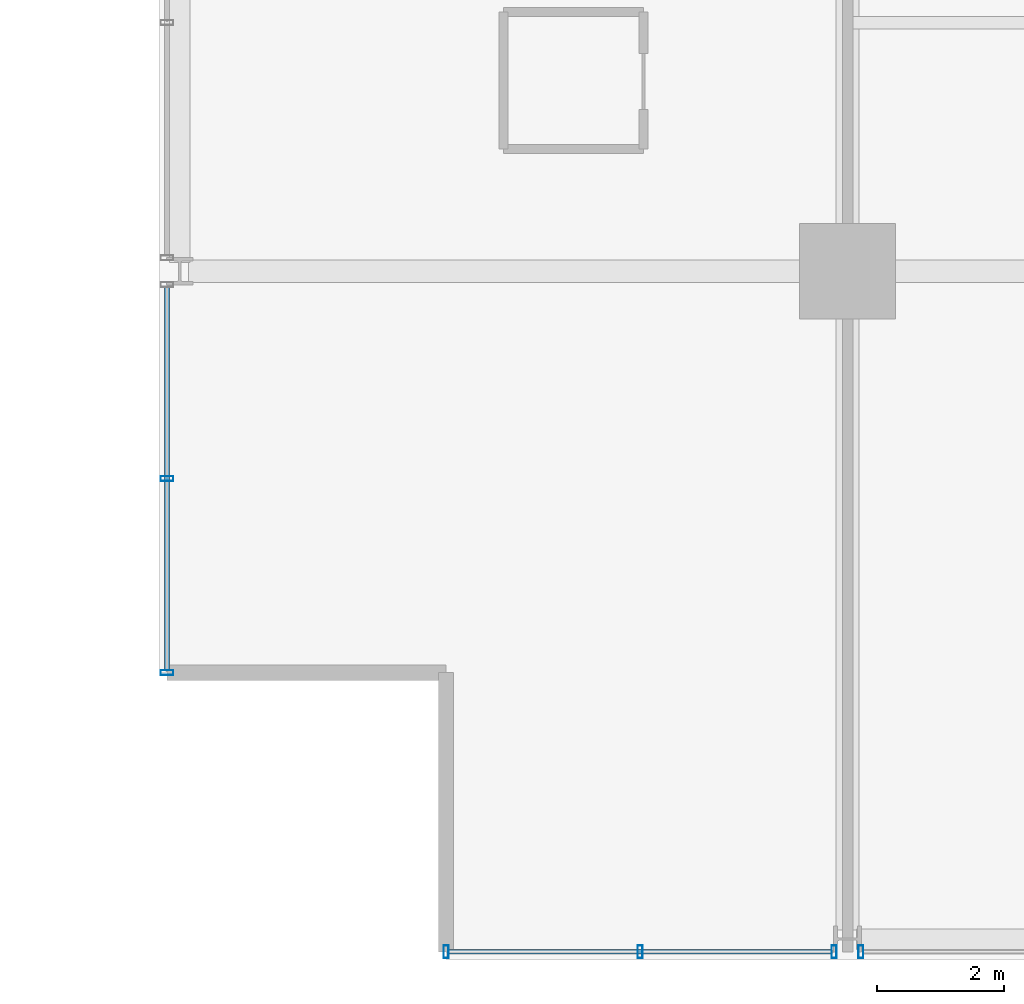
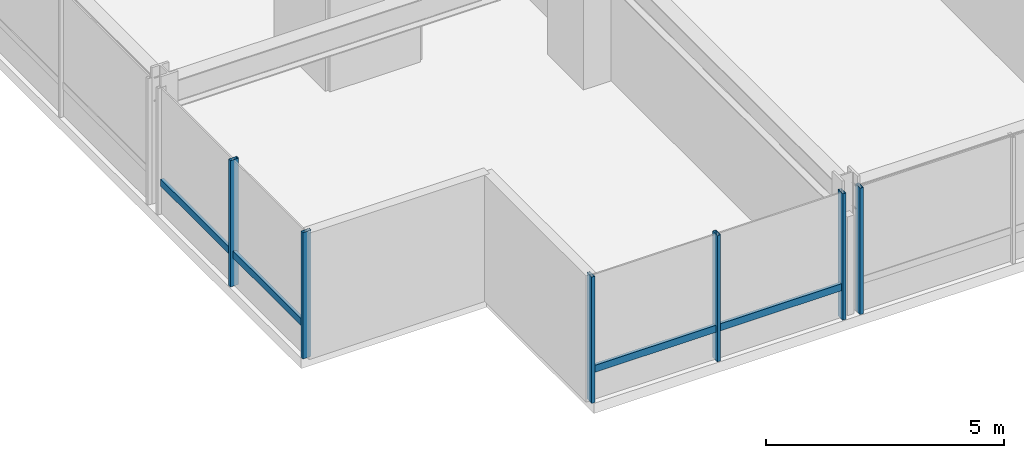
# One storey, part 2 of 34: 8 members, 3 elements without a shape of their own.
"""IFC4 building model written with IfcOpenShell, lengths in metres."""

from ifc_helpers import new_model, si_unit, direction, frame, origin, origin_2d, place, context, subcontext, project, spatial, hollow_rectangle, extrude, material, layer, layer_set, material_profile, profile_set, type_object, element, aggregate, save


model = new_model("IFC4")

# Units and contexts
model_context = context("Model", 3, precision=1e-05, world=origin(), true_north=direction((0.0, 1.0)))
body_context = subcontext(model_context, "Body", "Model", "MODEL_VIEW")
ifc_project = project(units=[si_unit("LENGTHUNIT", "METRE"), si_unit("AREAUNIT", "SQUARE_METRE"), si_unit("VOLUMEUNIT", "CUBIC_METRE"), si_unit("PLANEANGLEUNIT", "RADIAN"), si_unit("MASSUNIT", "GRAM", prefix="KILO")], contexts=[model_context])

# Site, building, storey
site_placement = place(None, origin())
site = spatial("IfcSite", under=ifc_project, at=site_placement, CompositionType="ELEMENT")
building_placement = place(site_placement, origin())
building = spatial("IfcBuilding", under=site, at=building_placement, Name="Drelvath Grand Hotel", CompositionType="ELEMENT")
storey_placement = place(building_placement, frame((0.0, 0.0, 126.800048828125)))
storey = spatial("IfcBuildingStorey", under=building, at=storey_placement, Name="L32", CompositionType="ELEMENT", Elevation=126.800048828125)

# Curtain wall, member
ifc_material = material(Name="Champagne Bronze Anodised Aluminium Frame", Category="aluminium")
ifc_layer = layer(ifc_material, 0.199951171875)
ifc_layer_set = layer_set([ifc_layer], Name="Champagne Bronze Anodised Aluminium Frame")
curtain_wall_type = type_object("IfcCurtainWallType", Name="Stick Curtain Wall CW-03 Champagne Bronze Mid-Rise", PredefinedType="NOTDEFINED", material=ifc_layer_set)
curtain_wall_1_placement = place(storey_placement, origin())
curtain_wall_1 = element("IfcCurtainWall", 1, at=curtain_wall_1_placement, inside=storey, type_object=curtain_wall_type, Name="L32 CW-03 Curtain Wall CW03-L32-WS1", PredefinedType="NOTDEFINED")
ifc_material_profile_1 = material_profile(ifc_material, hollow_rectangle(XDim=0.074951171875, YDim=0.179931640625, WallThickness=0.0048828125, at=origin_2d()), Name="HSS180X75X5")
ifc_profile_set_1 = profile_set([ifc_material_profile_1], Name="Champagne Bronze Anodised Aluminium Frame")
member_type_1 = type_object("IfcMemberType", Name="Curtain Wall Horizontal Transom CW-03 HSS180X75X5", PredefinedType="USERDEFINED", material=ifc_profile_set_1)
member_1_placement = place(storey_placement, frame((-26.8798828125, 4.5400390625, 0.81005859375), z_axis=(0.0, 1.0, 0.0), x_axis=(-1.0, 0.0, 0.0)))
member_1 = element("IfcMember", 2, at=member_1_placement, type_object=member_type_1, Name="CW03-L32-WS1 Sill Transom", ObjectType="TRANSOM", PredefinedType="USERDEFINED", context=body_context, shape_type="SweptSolid", body=[
    extrude(hollow_rectangle(XDim=0.074951171875, YDim=0.179931640625, WallThickness=0.0048828125, at=origin_2d()), origin(), (0.0, 0.0, 1.0), 6.010498046875),
])

curtain_wall_2_placement = place(storey_placement, origin())
curtain_wall_2 = element("IfcCurtainWall", 3, at=curtain_wall_2_placement, inside=storey, type_object=curtain_wall_type, Name="L32 CW-03 Curtain Wall CW03-L32-SW1", PredefinedType="NOTDEFINED")
member_2_placement = place(storey_placement, frame((-16.449462890625, 0.1201171875, 0.81005859375), z_axis=(-1.0, 0.0, 0.0), x_axis=(0.0, -1.0, 0.0)))
member_2 = element("IfcMember", 4, at=member_2_placement, type_object=member_type_1, Name="CW03-L32-SW1 Sill Transom", ObjectType="TRANSOM", PredefinedType="USERDEFINED", context=body_context, shape_type="SweptSolid", body=[
    extrude(hollow_rectangle(XDim=0.074951171875, YDim=0.179931640625, WallThickness=0.0048828125, at=origin_2d()), origin(), (0.0, 0.0, 1.0), 6.010498046875),
])

# Member
ifc_material_profile_2 = material_profile(ifc_material, hollow_rectangle(XDim=0.080078125, YDim=0.199951171875, WallThickness=0.0048828125, at=origin_2d()), Name="HSS200X80X5")
ifc_profile_set_2 = profile_set([ifc_material_profile_2], Name="Champagne Bronze Anodised Aluminium Frame")
member_type_2 = type_object("IfcMemberType", Name="Curtain Wall Vertical Mullion CW-03 HSS200X80X5", PredefinedType="MULLION", material=ifc_profile_set_2)
member_3_placement = place(storey_placement, frame((-26.8798828125, 4.5, 0.0), z_axis=(0.0, 0.0, 1.0), x_axis=(0.0, 1.0, 0.0)))
member_3 = element("IfcMember", 5, at=member_3_placement, type_object=member_type_2, Name="CW03-L32-WS1 Mullion 1", PredefinedType="MULLION", context=body_context, shape_type="SweptSolid", body=[
    extrude(hollow_rectangle(XDim=0.080078125, YDim=0.199951171875, WallThickness=0.0048828125, at=origin_2d()), origin(), (0.0, 0.0, 1.0), 3.239990234375),
])

member_4_placement = place(storey_placement, frame((-26.8798828125, 7.54541015625, 0.0), z_axis=(0.0, 0.0, 1.0), x_axis=(0.0, 1.0, 0.0)))
member_4 = element("IfcMember", 6, at=member_4_placement, type_object=member_type_2, Name="CW03-L32-WS1 Mullion 2", PredefinedType="MULLION", context=body_context, shape_type="SweptSolid", body=[
    extrude(hollow_rectangle(XDim=0.080078125, YDim=0.199951171875, WallThickness=0.0048828125, at=origin_2d()), origin(), (0.0, 0.0, 1.0), 3.239990234375),
])

aggregate(curtain_wall_1, [member_3, member_4, member_1])

member_5_placement = place(storey_placement, frame((-16.409423828125, 0.1201171875, 0.0), z_axis=(0.0, 0.0, 1.0), x_axis=(1.0, 0.0, 0.0)))
member_5 = element("IfcMember", 7, at=member_5_placement, type_object=member_type_2, Name="CW03-L32-SW1 Mullion 1", PredefinedType="MULLION", context=body_context, shape_type="SweptSolid", body=[
    extrude(hollow_rectangle(XDim=0.080078125, YDim=0.199951171875, WallThickness=0.0048828125, at=origin_2d()), origin(), (0.0, 0.0, 1.0), 3.239990234375),
])

member_6_placement = place(storey_placement, frame((-19.45458984375, 0.1201171875, 0.0), z_axis=(0.0, 0.0, 1.0), x_axis=(1.0, 0.0, 0.0)))
member_6 = element("IfcMember", 8, at=member_6_placement, type_object=member_type_2, Name="CW03-L32-SW1 Mullion 2", PredefinedType="MULLION", context=body_context, shape_type="SweptSolid", body=[
    extrude(hollow_rectangle(XDim=0.080078125, YDim=0.199951171875, WallThickness=0.0048828125, at=origin_2d()), origin(), (0.0, 0.0, 1.0), 3.239990234375),
])

member_7_placement = place(storey_placement, frame((-22.5, 0.1201171875, 0.0), z_axis=(0.0, 0.0, 1.0), x_axis=(1.0, 0.0, 0.0)))
member_7 = element("IfcMember", 9, at=member_7_placement, type_object=member_type_2, Name="CW03-L32-SW1 Mullion 3", PredefinedType="MULLION", context=body_context, shape_type="SweptSolid", body=[
    extrude(hollow_rectangle(XDim=0.080078125, YDim=0.199951171875, WallThickness=0.0048828125, at=origin_2d()), origin(), (0.0, 0.0, 1.0), 3.239990234375),
])

aggregate(curtain_wall_2, [member_5, member_6, member_7, member_2])

# Curtain wall, member
curtain_wall_3_placement = place(storey_placement, origin())
curtain_wall_3 = element("IfcCurtainWall", 10, at=curtain_wall_3_placement, inside=storey, type_object=curtain_wall_type, Name="L32 CW-03 Curtain Wall CW03-L32-SW2", PredefinedType="NOTDEFINED")
member_8_placement = place(storey_placement, frame((-15.990478515625, 0.1201171875, 0.0), z_axis=(0.0, 0.0, 1.0), x_axis=(1.0, 0.0, 0.0)))
member_8 = element("IfcMember", 11, at=member_8_placement, type_object=member_type_2, Name="CW03-L32-SW2 Mullion 3", PredefinedType="MULLION", context=body_context, shape_type="SweptSolid", body=[
    extrude(hollow_rectangle(XDim=0.080078125, YDim=0.199951171875, WallThickness=0.0048828125, at=origin_2d()), origin(), (0.0, 0.0, 1.0), 3.239990234375),
])
aggregate(curtain_wall_3, [member_8])

save(model, "model.ifc")
